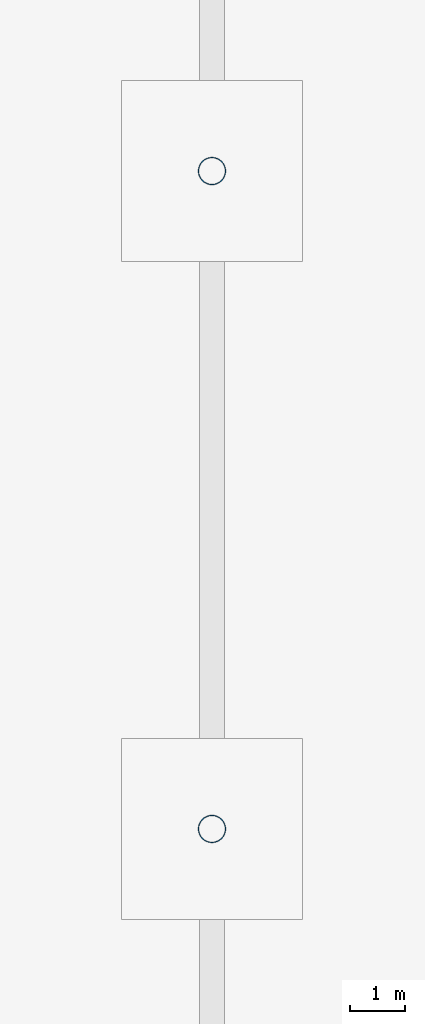
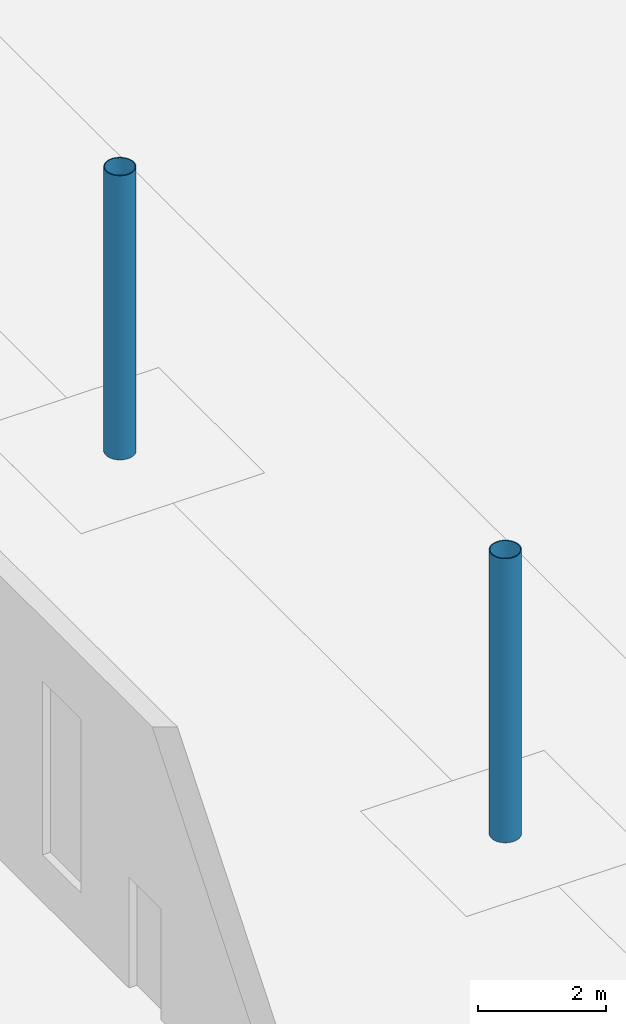
# One storey, part 10 of 132: 2 columns.
"""IFC4 building model written with IfcOpenShell, lengths in metres."""

from ifc_helpers import new_model, si_unit, direction, frame, origin, origin_2d, place, context, subcontext, project, spatial, hollow_circle, extrude, material, material_profile, profile_set, type_object, element, save


model = new_model("IFC4")

# Units and contexts
model_context = context("Model", 3, precision=1e-05, world=origin(), true_north=direction((0.0, 1.0)))
body_context = subcontext(model_context, "Body", "Model", "MODEL_VIEW")
ifc_project = project(units=[si_unit("LENGTHUNIT", "METRE"), si_unit("AREAUNIT", "SQUARE_METRE"), si_unit("VOLUMEUNIT", "CUBIC_METRE"), si_unit("PLANEANGLEUNIT", "RADIAN"), si_unit("MASSUNIT", "GRAM", prefix="KILO")], contexts=[model_context])

# Site, building, storey
site_placement = place(None, origin())
site = spatial("IfcSite", under=ifc_project, at=site_placement, CompositionType="ELEMENT")
building_placement = place(site_placement, origin())
building = spatial("IfcBuilding", under=site, at=building_placement, Name="Ravi Spectrum Wholesale Market", CompositionType="ELEMENT")
storey_placement = place(building_placement, origin())
storey = spatial("IfcBuildingStorey", under=building, at=storey_placement, Name="L00", CompositionType="ELEMENT", Elevation=0.0)

# Columns
ifc_material = material(Name="Steel S355", Category="steel")
ifc_material_profile = material_profile(ifc_material, hollow_circle(Radius=0.25390625, WallThickness=0.01611328125, at=origin_2d()))
ifc_profile_set = profile_set([ifc_material_profile], Name="Steel S355")
column_type = type_object("IfcColumnType", Name="CHS 508x16 column", PredefinedType="COLUMN", material=ifc_profile_set)
for number, where, z_axis, x_axis, name in (
    (1, (110.0, 54.0, 0.0), (0.0, 0.0, 1.0), (1.0, 0.0, 0.0), "H1-COL-L00-018"),
    (2, (110.0, 66.0, 0.0), (0.0, 0.0, 1.0), (1.0, 0.0, 0.0), "H1-COL-L00-019"),
):
    element("IfcColumn", number, at=place(storey_placement, frame(where, z_axis=z_axis, x_axis=x_axis)), inside=storey, type_object=column_type, Name=name, PredefinedType="COLUMN", context=body_context, shape_type="SweptSolid", body=[
        extrude(hollow_circle(Radius=0.25390625, WallThickness=0.01611328125, at=origin_2d()), origin(), (0.0, 0.0, 1.0), 5.39990234375),
    ])

save(model, "model.ifc")
